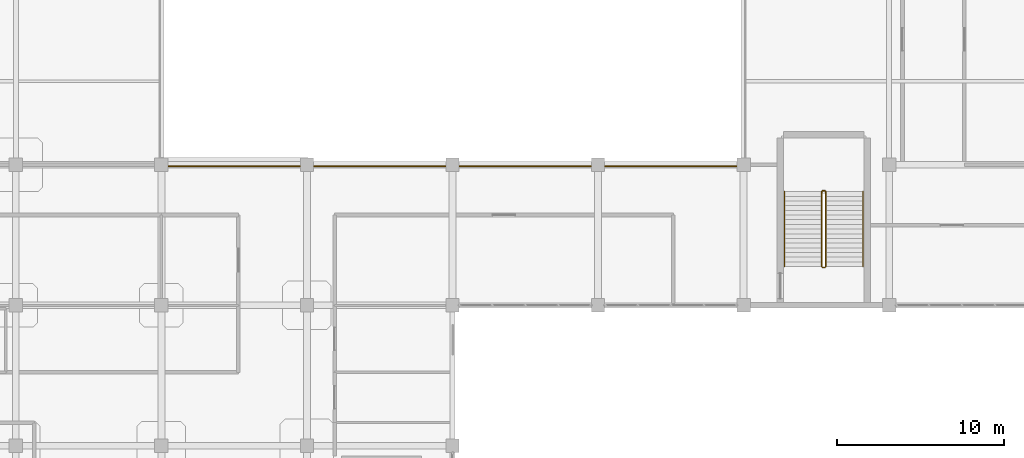
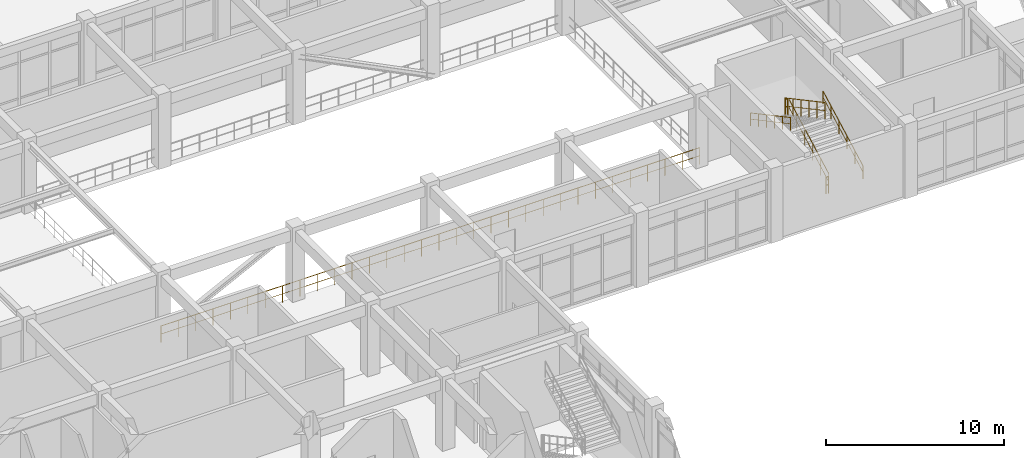
# One storey, part 117 of 124: 7 railings.
"""IFC4 building model written with IfcOpenShell, lengths in metres."""

from ifc_helpers import new_model, si_unit, derived_unit, direction, frame, origin, origin_2d, place, context, subcontext, project, spatial, circle, extrude, material, type_object, element, save


model = new_model("IFC4")

# Units and contexts
model_context = context("Model", 3, precision=1e-05, world=origin(), true_north=direction((0.0, 1.0)))
body_context = subcontext(model_context, "Body", "Model", "MODEL_VIEW")
ifc_project = project(units=[si_unit("LENGTHUNIT", "METRE"), si_unit("AREAUNIT", "SQUARE_METRE"), si_unit("VOLUMEUNIT", "CUBIC_METRE"), si_unit("PLANEANGLEUNIT", "RADIAN"), si_unit("MASSUNIT", "GRAM", prefix="KILO"), derived_unit("THERMALTRANSMITTANCEUNIT", [(si_unit("MASSUNIT", "GRAM", prefix="KILO"), 1), (si_unit("TIMEUNIT", "SECOND"), -3), (si_unit("THERMODYNAMICTEMPERATUREUNIT", "KELVIN"), -1)])], contexts=[model_context])

# Site, building, storey
site_placement = place(None, origin())
site = spatial("IfcSite", under=ifc_project, at=site_placement, CompositionType="ELEMENT")
building_placement = place(site_placement, origin())
building = spatial("IfcBuilding", under=site, at=building_placement, Name="Qinzheling Arcade Emporium", CompositionType="ELEMENT")
storey_placement = place(building_placement, frame((0.0, 0.0, 16.5)))
storey = spatial("IfcBuildingStorey", under=building, at=storey_placement, Name="L04", CompositionType="ELEMENT", Elevation=16.5)

# Railings
ifc_material_1 = material(Name="Galvanised powder-coated tubular steel", Category="steel")
railing_type_1 = type_object("IfcRailingType", Name="Painted Steel Stairwell Guard Railing 1150", PredefinedType="GUARDRAIL", material=ifc_material_1)
railing_1_placement = place(storey_placement, frame((91.919921875, 44.320068359375, 0.14990234375)))
element("IfcRailing", 1, at=railing_1_placement, inside=storey, type_object=railing_type_1, Name="L04 ST04 stair guard 1", PredefinedType="GUARDRAIL", context=body_context, shape_type="SweptSolid", body=[
    extrude(circle(Radius=0.02392578125, at=origin_2d()), frame((0.0, 0.0, 1.1259765625), z_axis=(0.0, 0.881467115574, 0.472245406714), x_axis=(-1.0, 0.0, 0.0)), (0.0, 0.0, 1.0), 5.08251953125),
    extrude(circle(Radius=0.01611328125, at=origin_2d()), frame((0.0, 0.0, 0.574951171875), z_axis=(0.0, 0.881467115574, 0.472245406714), x_axis=(-1.0, 0.0, 0.0)), (0.0, 0.0, 1.0), 5.08251953125),
    extrude(circle(Radius=0.02099609375, at=origin_2d()), origin(), (0.0, 0.0, 1.0), 1.101806640625),
    extrude(circle(Radius=0.02099609375, at=origin_2d()), frame((0.0, 0.89599609375, 0.47998046875)), (0.0, 0.0, 1.0), 1.101806640625),
    extrude(circle(Radius=0.02099609375, at=origin_2d()), frame((0.0, 1.7919921875, 0.9599609375)), (0.0, 0.0, 1.0), 1.101806640625),
    extrude(circle(Radius=0.02099609375, at=origin_2d()), frame((0.0, 2.68798828125, 1.440185546875)), (0.0, 0.0, 1.0), 1.101806640625),
    extrude(circle(Radius=0.02099609375, at=origin_2d()), frame((0.0, 3.583984375, 1.920166015625)), (0.0, 0.0, 1.0), 1.101806640625),
    extrude(circle(Radius=0.02099609375, at=origin_2d()), frame((0.0, 4.47998046875, 2.400146484375)), (0.0, 0.0, 1.0), 1.101806640625),
])
railing_2_placement = place(storey_placement, frame((91.8701171875, 48.85009765625, 2.550048828125)))
element("IfcRailing", 2, at=railing_2_placement, inside=storey, type_object=railing_type_1, Name="L04 ST04 stair guard 2", PredefinedType="GUARDRAIL", context=body_context, shape_type="SweptSolid", body=[
    extrude(circle(Radius=0.02392578125, at=origin_2d()), frame((0.0, 0.0, 1.1259765625), z_axis=(-1.0, 0.0, 0.0), x_axis=(0.0, -1.0, 0.0)), (0.0, 0.0, 1.0), 0.150146484375),
    extrude(circle(Radius=0.01611328125, at=origin_2d()), frame((0.0, 0.0, 0.574951171875), z_axis=(-1.0, 0.0, 0.0), x_axis=(0.0, -1.0, 0.0)), (0.0, 0.0, 1.0), 0.150146484375),
    extrude(circle(Radius=0.02099609375, at=origin_2d()), origin(), (0.0, 0.0, 1.0), 1.101806640625),
    extrude(circle(Radius=0.02099609375, at=origin_2d()), frame((-0.150146484375, 0.0, 0.0)), (0.0, 0.0, 1.0), 1.101806640625),
])
railing_3_placement = place(storey_placement, frame((91.669921875, 48.800048828125, 2.699951171875)))
element("IfcRailing", 3, at=railing_3_placement, inside=storey, type_object=railing_type_1, Name="L04 ST04 stair guard 3", PredefinedType="GUARDRAIL", context=body_context, shape_type="SweptSolid", body=[
    extrude(circle(Radius=0.02392578125, at=origin_2d()), frame((0.0, 0.0, 1.1259765625), z_axis=(0.0, -0.881467115574, 0.472245406714), x_axis=(1.0, 0.0, 0.0)), (0.0, 0.0, 1.0), 5.08251953125),
    extrude(circle(Radius=0.01611328125, at=origin_2d()), frame((0.0, 0.0, 0.574951171875), z_axis=(0.0, -0.881467115574, 0.472245406714), x_axis=(1.0, 0.0, 0.0)), (0.0, 0.0, 1.0), 5.08251953125),
    extrude(circle(Radius=0.02099609375, at=origin_2d()), origin(), (0.0, 0.0, 1.0), 1.101806640625),
    extrude(circle(Radius=0.02099609375, at=origin_2d()), frame((0.0, -0.89599609375, 0.47998046875)), (0.0, 0.0, 1.0), 1.101806640625),
    extrude(circle(Radius=0.02099609375, at=origin_2d()), frame((0.0, -1.7919921875, 0.9599609375)), (0.0, 0.0, 1.0), 1.101806640625),
    extrude(circle(Radius=0.02099609375, at=origin_2d()), frame((0.0, -2.68798828125, 1.440185546875)), (0.0, 0.0, 1.0), 1.101806640625),
    extrude(circle(Radius=0.02099609375, at=origin_2d()), frame((0.0, -3.583984375, 1.920166015625)), (0.0, 0.0, 1.0), 1.101806640625),
    extrude(circle(Radius=0.02099609375, at=origin_2d()), frame((0.0, -4.47998046875, 2.400146484375)), (0.0, 0.0, 1.0), 1.101806640625),
])
railing_4_placement = place(storey_placement, frame((91.8701171875, 44.27001953125, 0.0)))
element("IfcRailing", 4, at=railing_4_placement, inside=storey, type_object=railing_type_1, Name="L04 ST04 stair guard 4", PredefinedType="GUARDRAIL", context=body_context, shape_type="SweptSolid", body=[
    extrude(circle(Radius=0.02392578125, at=origin_2d()), frame((0.0, 0.0, 1.1259765625), z_axis=(-1.0, 0.0, 0.0), x_axis=(0.0, -1.0, 0.0)), (0.0, 0.0, 1.0), 0.150146484375),
    extrude(circle(Radius=0.01611328125, at=origin_2d()), frame((0.0, 0.0, 0.574951171875), z_axis=(-1.0, 0.0, 0.0), x_axis=(0.0, -1.0, 0.0)), (0.0, 0.0, 1.0), 0.150146484375),
    extrude(circle(Radius=0.02099609375, at=origin_2d()), origin(), (0.0, 0.0, 1.0), 1.101806640625),
    extrude(circle(Radius=0.02099609375, at=origin_2d()), frame((-0.150146484375, 0.0, 0.0)), (0.0, 0.0, 1.0), 1.101806640625),
])
railing_5_placement = place(storey_placement, frame((52.169921875, 50.320068359375, 0.0)))
element("IfcRailing", 5, at=railing_5_placement, inside=storey, type_object=railing_type_1, Name="Atrium Void Guard L04 S", PredefinedType="GUARDRAIL", context=body_context, shape_type="SweptSolid", body=[
    extrude(circle(Radius=0.02392578125, at=origin_2d()), frame((0.0, 0.0, 1.1259765625), z_axis=(1.0, 0.0, 0.0), x_axis=(0.0, 1.0, 0.0)), (0.0, 0.0, 1.0), 34.860107421875),
    extrude(circle(Radius=0.01611328125, at=origin_2d()), frame((0.0, 0.0, 0.574951171875), z_axis=(1.0, 0.0, 0.0), x_axis=(0.0, 1.0, 0.0)), (0.0, 0.0, 1.0), 34.860107421875),
    extrude(circle(Radius=0.02099609375, at=origin_2d()), origin(), (0.0, 0.0, 1.0), 1.101806640625),
    extrude(circle(Radius=0.02099609375, at=origin_2d()), frame((1.12451171875, 0.0, 0.0)), (0.0, 0.0, 1.0), 1.101806640625),
    extrude(circle(Radius=0.02099609375, at=origin_2d()), frame((2.2490234375, 0.0, 0.0)), (0.0, 0.0, 1.0), 1.101806640625),
    extrude(circle(Radius=0.02099609375, at=origin_2d()), frame((3.37353515625, 0.0, 0.0)), (0.0, 0.0, 1.0), 1.101806640625),
    extrude(circle(Radius=0.02099609375, at=origin_2d()), frame((4.498046875, 0.0, 0.0)), (0.0, 0.0, 1.0), 1.101806640625),
    extrude(circle(Radius=0.02099609375, at=origin_2d()), frame((5.62255859375, 0.0, 0.0)), (0.0, 0.0, 1.0), 1.101806640625),
    extrude(circle(Radius=0.02099609375, at=origin_2d()), frame((6.7470703125, 0.0, 0.0)), (0.0, 0.0, 1.0), 1.101806640625),
    extrude(circle(Radius=0.02099609375, at=origin_2d()), frame((7.87158203125, 0.0, 0.0)), (0.0, 0.0, 1.0), 1.101806640625),
    extrude(circle(Radius=0.02099609375, at=origin_2d()), frame((8.99609375, 0.0, 0.0)), (0.0, 0.0, 1.0), 1.101806640625),
    extrude(circle(Radius=0.02099609375, at=origin_2d()), frame((10.12060546875, 0.0, 0.0)), (0.0, 0.0, 1.0), 1.101806640625),
    extrude(circle(Radius=0.02099609375, at=origin_2d()), frame((11.2451171875, 0.0, 0.0)), (0.0, 0.0, 1.0), 1.101806640625),
    extrude(circle(Radius=0.02099609375, at=origin_2d()), frame((12.36962890625, 0.0, 0.0)), (0.0, 0.0, 1.0), 1.101806640625),
    extrude(circle(Radius=0.02099609375, at=origin_2d()), frame((13.494140625, 0.0, 0.0)), (0.0, 0.0, 1.0), 1.101806640625),
    extrude(circle(Radius=0.02099609375, at=origin_2d()), frame((14.61865234375, 0.0, 0.0)), (0.0, 0.0, 1.0), 1.101806640625),
    extrude(circle(Radius=0.02099609375, at=origin_2d()), frame((15.7431640625, 0.0, 0.0)), (0.0, 0.0, 1.0), 1.101806640625),
    extrude(circle(Radius=0.02099609375, at=origin_2d()), frame((16.86767578125, 0.0, 0.0)), (0.0, 0.0, 1.0), 1.101806640625),
    extrude(circle(Radius=0.02099609375, at=origin_2d()), frame((17.992431640625, 0.0, 0.0)), (0.0, 0.0, 1.0), 1.101806640625),
    extrude(circle(Radius=0.02099609375, at=origin_2d()), frame((19.116943359375, 0.0, 0.0)), (0.0, 0.0, 1.0), 1.101806640625),
    extrude(circle(Radius=0.02099609375, at=origin_2d()), frame((20.241455078125, 0.0, 0.0)), (0.0, 0.0, 1.0), 1.101806640625),
    extrude(circle(Radius=0.02099609375, at=origin_2d()), frame((21.365966796875, 0.0, 0.0)), (0.0, 0.0, 1.0), 1.101806640625),
    extrude(circle(Radius=0.02099609375, at=origin_2d()), frame((22.490478515625, 0.0, 0.0)), (0.0, 0.0, 1.0), 1.101806640625),
    extrude(circle(Radius=0.02099609375, at=origin_2d()), frame((23.614990234375, 0.0, 0.0)), (0.0, 0.0, 1.0), 1.101806640625),
    extrude(circle(Radius=0.02099609375, at=origin_2d()), frame((24.739501953125, 0.0, 0.0)), (0.0, 0.0, 1.0), 1.101806640625),
    extrude(circle(Radius=0.02099609375, at=origin_2d()), frame((25.864013671875, 0.0, 0.0)), (0.0, 0.0, 1.0), 1.101806640625),
    extrude(circle(Radius=0.02099609375, at=origin_2d()), frame((26.988525390625, 0.0, 0.0)), (0.0, 0.0, 1.0), 1.101806640625),
    extrude(circle(Radius=0.02099609375, at=origin_2d()), frame((28.113037109375, 0.0, 0.0)), (0.0, 0.0, 1.0), 1.101806640625),
    extrude(circle(Radius=0.02099609375, at=origin_2d()), frame((29.237548828125, 0.0, 0.0)), (0.0, 0.0, 1.0), 1.101806640625),
    extrude(circle(Radius=0.02099609375, at=origin_2d()), frame((30.362060546875, 0.0, 0.0)), (0.0, 0.0, 1.0), 1.101806640625),
    extrude(circle(Radius=0.02099609375, at=origin_2d()), frame((31.486572265625, 0.0, 0.0)), (0.0, 0.0, 1.0), 1.101806640625),
    extrude(circle(Radius=0.02099609375, at=origin_2d()), frame((32.611083984375, 0.0, 0.0)), (0.0, 0.0, 1.0), 1.101806640625),
    extrude(circle(Radius=0.02099609375, at=origin_2d()), frame((33.735595703125, 0.0, 0.0)), (0.0, 0.0, 1.0), 1.101806640625),
    extrude(circle(Radius=0.02099609375, at=origin_2d()), frame((34.860107421875, 0.0, 0.0)), (0.0, 0.0, 1.0), 1.101806640625),
])
ifc_material_2 = material(Name="Brushed stainless steel 304", Category="steel")
railing_type_2 = type_object("IfcRailingType", Name="Stainless Steel Wall Handrail 900", PredefinedType="HANDRAIL", material=ifc_material_2)
railing_6_placement = place(storey_placement, frame((94.139892578125, 44.320068359375, 0.14990234375)))
element("IfcRailing", 6, at=railing_6_placement, inside=storey, type_object=railing_type_2, Name="L04 ST04 stair handrail 1", PredefinedType="HANDRAIL", context=body_context, shape_type="SweptSolid", body=[
    extrude(circle(Radius=0.02392578125, at=origin_2d()), frame((0.0, 0.0, 0.8759765625), z_axis=(0.0, 0.881467115574, 0.472245406714), x_axis=(-1.0, 0.0, 0.0)), (0.0, 0.0, 1.0), 5.08251953125),
    extrude(circle(Radius=0.01611328125, at=origin_2d()), frame((0.0, 0.0, 0.449951171875), z_axis=(0.0, 0.881467115574, 0.472245406714), x_axis=(-1.0, 0.0, 0.0)), (0.0, 0.0, 1.0), 5.08251953125),
    extrude(circle(Radius=0.02099609375, at=origin_2d()), origin(), (0.0, 0.0, 1.0), 0.851806640625),
    extrude(circle(Radius=0.02099609375, at=origin_2d()), frame((0.0, 0.89599609375, 0.47998046875)), (0.0, 0.0, 1.0), 0.851806640625),
    extrude(circle(Radius=0.02099609375, at=origin_2d()), frame((0.0, 1.7919921875, 0.9599609375)), (0.0, 0.0, 1.0), 0.851806640625),
    extrude(circle(Radius=0.02099609375, at=origin_2d()), frame((0.0, 2.68798828125, 1.440185546875)), (0.0, 0.0, 1.0), 0.851806640625),
    extrude(circle(Radius=0.02099609375, at=origin_2d()), frame((0.0, 3.583984375, 1.920166015625)), (0.0, 0.0, 1.0), 0.851806640625),
    extrude(circle(Radius=0.02099609375, at=origin_2d()), frame((0.0, 4.47998046875, 2.400146484375)), (0.0, 0.0, 1.0), 0.851806640625),
])
railing_7_placement = place(storey_placement, frame((89.449951171875, 48.800048828125, 2.699951171875)))
element("IfcRailing", 7, at=railing_7_placement, inside=storey, type_object=railing_type_2, Name="L04 ST04 stair handrail 2", PredefinedType="HANDRAIL", context=body_context, shape_type="SweptSolid", body=[
    extrude(circle(Radius=0.02392578125, at=origin_2d()), frame((0.0, 0.0, 0.8759765625), z_axis=(0.0, -0.881467115574, 0.472245406714), x_axis=(1.0, 0.0, 0.0)), (0.0, 0.0, 1.0), 5.08251953125),
    extrude(circle(Radius=0.01611328125, at=origin_2d()), frame((0.0, 0.0, 0.449951171875), z_axis=(0.0, -0.881467115574, 0.472245406714), x_axis=(1.0, 0.0, 0.0)), (0.0, 0.0, 1.0), 5.08251953125),
    extrude(circle(Radius=0.02099609375, at=origin_2d()), origin(), (0.0, 0.0, 1.0), 0.851806640625),
    extrude(circle(Radius=0.02099609375, at=origin_2d()), frame((0.0, -0.89599609375, 0.47998046875)), (0.0, 0.0, 1.0), 0.851806640625),
    extrude(circle(Radius=0.02099609375, at=origin_2d()), frame((0.0, -1.7919921875, 0.9599609375)), (0.0, 0.0, 1.0), 0.851806640625),
    extrude(circle(Radius=0.02099609375, at=origin_2d()), frame((0.0, -2.68798828125, 1.440185546875)), (0.0, 0.0, 1.0), 0.851806640625),
    extrude(circle(Radius=0.02099609375, at=origin_2d()), frame((0.0, -3.583984375, 1.920166015625)), (0.0, 0.0, 1.0), 0.851806640625),
    extrude(circle(Radius=0.02099609375, at=origin_2d()), frame((0.0, -4.47998046875, 2.400146484375)), (0.0, 0.0, 1.0), 0.851806640625),
])

save(model, "model.ifc")
